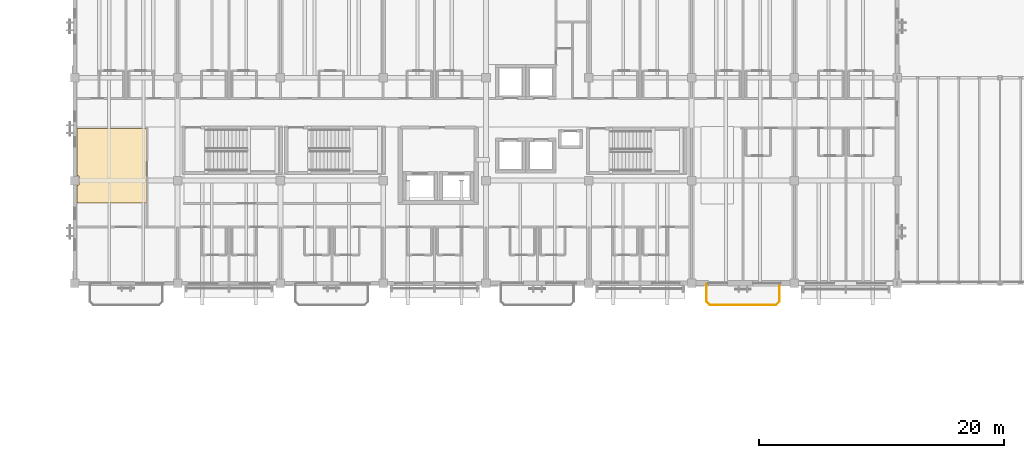
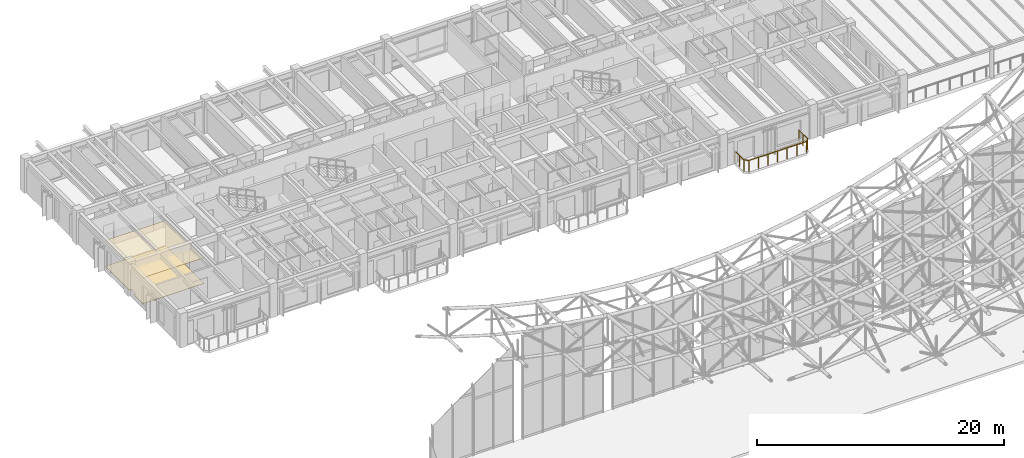
# One storey, part 88 of 93: 2 coverings, 1 railing.
"""IFC4 building model written with IfcOpenShell, lengths in metres."""

from ifc_helpers import new_model, si_unit, direction, frame, origin, origin_2d, place, context, subcontext, project, spatial, polyline, circle, outline, extrude, material, layer, layer_set, type_object, element, save


model = new_model("IFC4")

# Units and contexts
model_context = context("Model", 3, precision=1e-05, world=origin(), true_north=direction((0.0, 1.0)))
body_context = subcontext(model_context, "Body", "Model", "MODEL_VIEW")
ifc_project = project(units=[si_unit("LENGTHUNIT", "METRE"), si_unit("AREAUNIT", "SQUARE_METRE"), si_unit("VOLUMEUNIT", "CUBIC_METRE"), si_unit("PLANEANGLEUNIT", "RADIAN"), si_unit("MASSUNIT", "GRAM", prefix="KILO")], contexts=[model_context])

# Site, building, storey
site_placement = place(None, origin())
site = spatial("IfcSite", under=ifc_project, at=site_placement, CompositionType="ELEMENT")
building_placement = place(site_placement, origin())
building = spatial("IfcBuilding", under=site, at=building_placement, Name="Cumbredor Promenade Congress Hotel", CompositionType="ELEMENT")
storey_placement = place(building_placement, frame((0.0, 0.0, 21.840087890625)))
storey = spatial("IfcBuildingStorey", under=building, at=storey_placement, Name="L06", CompositionType="ELEMENT", Elevation=21.840087890625)

# Coverings
ifc_material_1 = material(Name="Acoustic mineral-fiber and gypsum ceiling")
ifc_layer_1 = layer(ifc_material_1, 0.01806640625, Name="Acoustic mineral-fiber and gypsum ceiling")
ifc_layer_set_1 = layer_set([ifc_layer_1], Name="Acoustic mineral-fiber and gypsum ceiling")
covering_type_1 = type_object("IfcCoveringType", Name="Acoustic Perforated Gypsum Ceiling CLG-01 18mm", PredefinedType="CEILING", material=ifc_layer_set_1)
covering_1_placement = place(storey_placement, frame((0.0, 0.0, 2.553955078125)))
element("IfcCovering", 1, at=covering_1_placement, inside=storey, type_object=covering_type_1, Name="L06 West Botanical Tea Salon Acoustic Ceiling", PredefinedType="CEILING", context=body_context, shape_type="SweptSolid", body=[
    extrude(outline(polyline([(0.159912109375, 105.070068359375), (5.8701171875, 105.070068359375), (5.8701171875, 98.9599609375), (0.159912109375, 98.9599609375), (0.159912109375, 100.445068359375), (0.35498046875, 100.445068359375), (0.35498046875, 101.155029296875), (0.159912109375, 101.155029296875), (0.159912109375, 105.070068359375)])), origin(), (0.0, 0.0, 1.0), 0.01806640625),
])
ifc_material_2 = material(Name="Porcelain stoneware tile", Category="masonry")
ifc_layer_2 = layer(ifc_material_2, 0.030029296875, Name="Porcelain stoneware tile", Category="masonry")
ifc_layer_set_2 = layer_set([ifc_layer_2], Name="Porcelain stoneware tile")
covering_type_2 = type_object("IfcCoveringType", Name="Porcelain Stoneware Flooring FLR-03 30mm", PredefinedType="FLOORING", material=ifc_layer_set_2)
covering_2_placement = place(storey_placement, origin())
element("IfcCovering", 2, at=covering_2_placement, inside=storey, type_object=covering_type_2, Name="L06 West Botanical Tea Salon Porcelain Flooring", PredefinedType="FLOORING", context=body_context, shape_type="SweptSolid", body=[
    extrude(outline(polyline([(0.159912109375, 105.070068359375), (5.8701171875, 105.070068359375), (5.8701171875, 98.9599609375), (0.159912109375, 98.9599609375), (0.159912109375, 100.445068359375), (0.35498046875, 100.445068359375), (0.35498046875, 101.155029296875), (0.159912109375, 101.155029296875), (0.159912109375, 105.070068359375)])), origin(), (0.0, 0.0, 1.0), 0.030029296875),
])

# Railing
ifc_material_3 = material(Name="Brushed stainless steel", Category="steel")
railing_type = type_object("IfcRailingType", Name="Terrace Perimeter Balustrade BAL-1120", PredefinedType="BALUSTRADE", material=ifc_material_3)
railing_placement = place(storey_placement, frame((51.6298828125, 92.35009765625, 0.0)))
element("IfcRailing", 3, at=railing_placement, inside=storey, type_object=railing_type, Name="L06 Veranda Balcony Balustrade 041", PredefinedType="BALUSTRADE", context=body_context, shape_type="SweptSolid", body=[
    extrude(circle(Radius=0.02392578125, at=origin_2d()), frame((0.0, 0.0, 1.09619140625), z_axis=(0.0, -1.0, 0.0), x_axis=(1.0, 0.0, 0.0)), (0.0, 0.0, 1.0), 1.440185546875),
    extrude(circle(Radius=0.02392578125, at=origin_2d()), frame((0.0, -1.440185546875, 1.09619140625), z_axis=(0.707106781187, -0.707106781187, 0.0), x_axis=(0.707106781187, 0.707106781187, 0.0)), (0.0, 0.0, 1.0), 0.39599609375),
    extrude(circle(Radius=0.02392578125, at=origin_2d()), frame((0.280029296875, -1.72021484375, 1.09619140625), z_axis=(1.0, 0.0, 0.0), x_axis=(0.0, 1.0, 0.0)), (0.0, 0.0, 1.0), 5.380126953125),
    extrude(circle(Radius=0.02392578125, at=origin_2d()), frame((5.66015625, -1.72021484375, 1.09619140625), z_axis=(0.707106781187, 0.707106781187, 0.0), x_axis=(-0.707106781187, 0.707106781187, 0.0)), (0.0, 0.0, 1.0), 0.39599609375),
    extrude(circle(Radius=0.02392578125, at=origin_2d()), frame((5.940185546875, -1.440185546875, 1.09619140625), z_axis=(0.0, 1.0, 0.0), x_axis=(-1.0, 0.0, 0.0)), (0.0, 0.0, 1.0), 1.440185546875),
    extrude(circle(Radius=0.02099609375, at=origin_2d()), origin(), (0.0, 0.0, 1.0), 1.072021484375),
    extrude(circle(Radius=0.02099609375, at=origin_2d()), frame((0.0, -0.72021484375, 0.0)), (0.0, 0.0, 1.0), 1.072021484375),
    extrude(circle(Radius=0.02099609375, at=origin_2d()), frame((0.0, -1.440185546875, 0.0)), (0.0, 0.0, 1.0), 1.072021484375),
    extrude(circle(Radius=0.02099609375, at=origin_2d()), frame((0.280029296875, -1.72021484375, 0.0)), (0.0, 0.0, 1.0), 1.072021484375),
    extrude(circle(Radius=0.02099609375, at=origin_2d()), frame((1.1767578125, -1.72021484375, 0.0)), (0.0, 0.0, 1.0), 1.072021484375),
    extrude(circle(Radius=0.02099609375, at=origin_2d()), frame((2.073486328125, -1.72021484375, 0.0)), (0.0, 0.0, 1.0), 1.072021484375),
    extrude(circle(Radius=0.02099609375, at=origin_2d()), frame((2.97021484375, -1.72021484375, 0.0)), (0.0, 0.0, 1.0), 1.072021484375),
    extrude(circle(Radius=0.02099609375, at=origin_2d()), frame((3.86669921875, -1.72021484375, 0.0)), (0.0, 0.0, 1.0), 1.072021484375),
    extrude(circle(Radius=0.02099609375, at=origin_2d()), frame((4.763427734375, -1.72021484375, 0.0)), (0.0, 0.0, 1.0), 1.072021484375),
    extrude(circle(Radius=0.02099609375, at=origin_2d()), frame((5.66015625, -1.72021484375, 0.0)), (0.0, 0.0, 1.0), 1.072021484375),
    extrude(circle(Radius=0.02099609375, at=origin_2d()), frame((5.940185546875, -1.440185546875, 0.0)), (0.0, 0.0, 1.0), 1.072021484375),
    extrude(circle(Radius=0.02099609375, at=origin_2d()), frame((5.940185546875, -0.72021484375, 0.0)), (0.0, 0.0, 1.0), 1.072021484375),
    extrude(circle(Radius=0.02099609375, at=origin_2d()), frame((5.940185546875, 0.0, 0.0)), (0.0, 0.0, 1.0), 1.072021484375),
])

save(model, "model.ifc")
